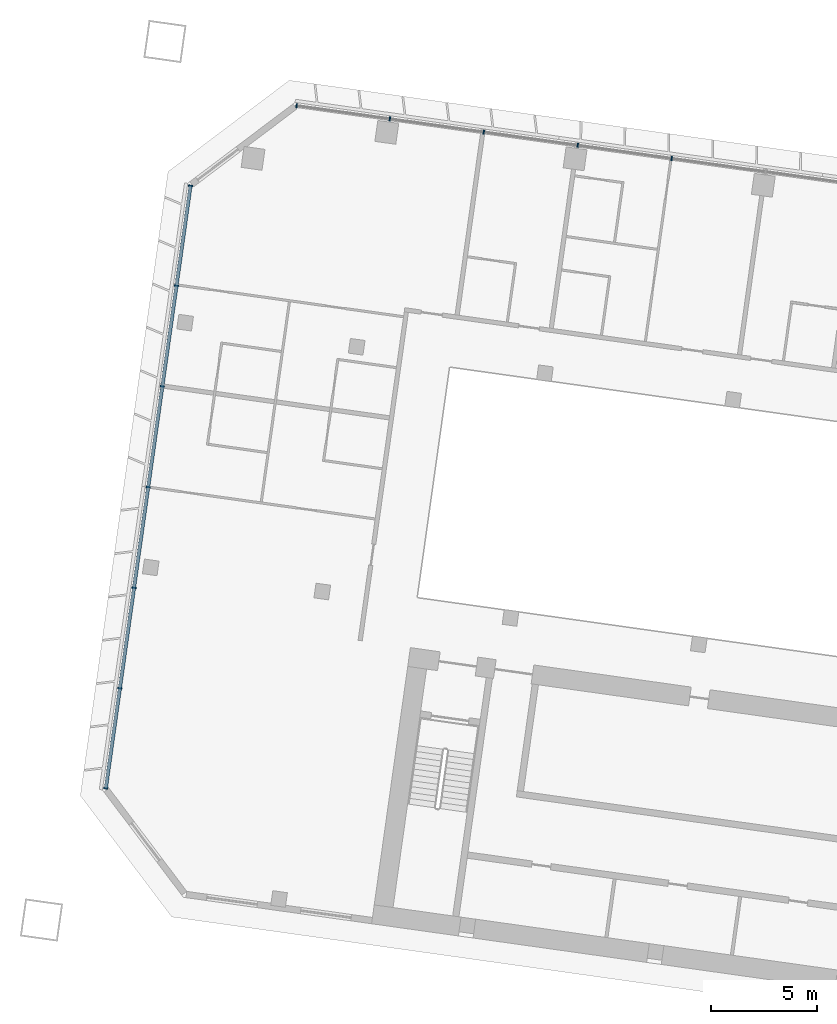
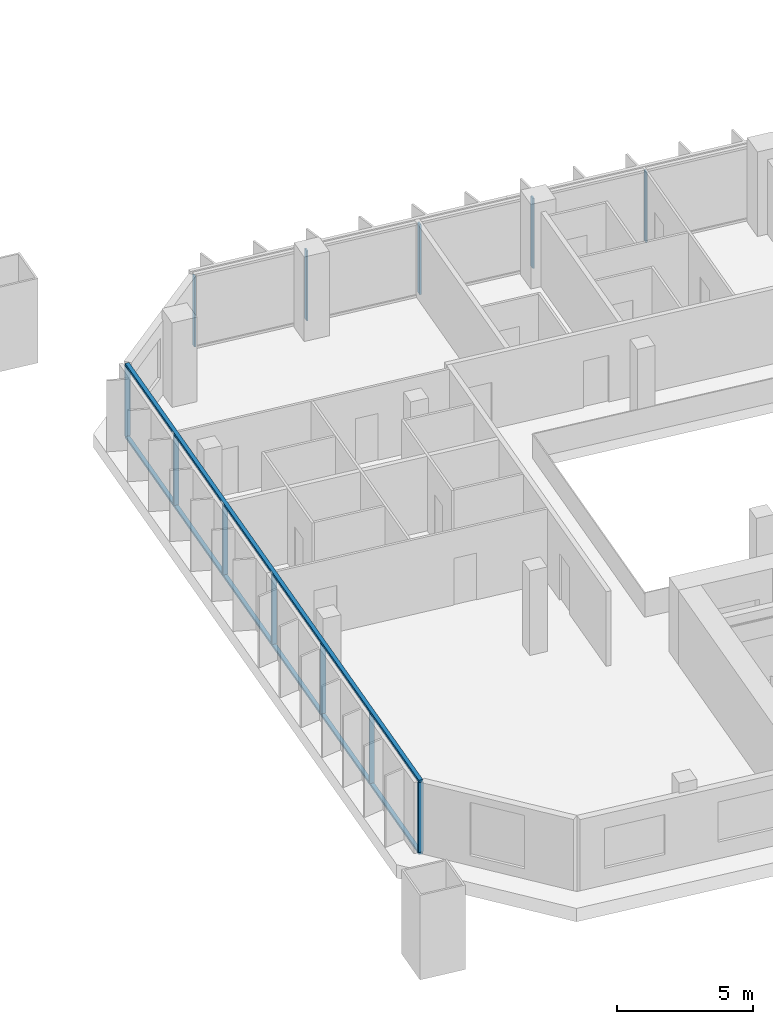
# One storey, part 2 of 25: 14 members, 2 elements without a shape of their own.
"""IFC4 building model written with IfcOpenShell, lengths in metres."""

from ifc_helpers import new_model, si_unit, direction, frame, origin, origin_2d, place, context, subcontext, project, spatial, rectangle, extrude, material, material_profile, profile_set, type_object, element, aggregate, save


model = new_model("IFC4")

# Units and contexts
model_context = context("Model", 3, precision=1e-05, world=origin(), true_north=direction((0.0, 1.0)))
body_context = subcontext(model_context, "Body", "Model", "MODEL_VIEW")
ifc_project = project(units=[si_unit("LENGTHUNIT", "METRE"), si_unit("AREAUNIT", "SQUARE_METRE"), si_unit("VOLUMEUNIT", "CUBIC_METRE"), si_unit("PLANEANGLEUNIT", "RADIAN"), si_unit("MASSUNIT", "GRAM", prefix="KILO")], contexts=[model_context])

# Site, building, storey
site_placement = place(None, origin())
site = spatial("IfcSite", under=ifc_project, at=site_placement, CompositionType="ELEMENT")
building_placement = place(site_placement, origin())
building = spatial("IfcBuilding", under=site, at=building_placement, Name="Mirante Cascada Hotel Towers", CompositionType="ELEMENT")
storey_placement = place(building_placement, frame((0.0, 0.0, 62.3)))
storey = spatial("IfcBuildingStorey", under=building, at=storey_placement, Name="L12", CompositionType="ELEMENT", Elevation=62.3)

# Curtain wall, members
ifc_material_1 = material(Name="Aluminium mullion and transom frame with clear laminated glass", Category="aluminium")
curtain_wall_type_1 = type_object("IfcCurtainWallType", Name="Ribbon curtain wall ECW1", PredefinedType="NOTDEFINED", material=ifc_material_1)
curtain_wall_1_placement = place(storey_placement, origin())
curtain_wall_1 = element("IfcCurtainWall", 1, at=curtain_wall_1_placement, inside=storey, type_object=curtain_wall_type_1, Name="Front ribbon wall T1 L12", PredefinedType="NOTDEFINED")
ifc_material_2 = material(Name="Anodised aluminium extrusion", Category="aluminium")
ifc_material_profile_1 = material_profile(ifc_material_2, rectangle(XDim=0.2, YDim=0.065, at=origin_2d()), Name="ECW1 MULLION 65x200")
ifc_profile_set_1 = profile_set([ifc_material_profile_1], Name="Anodised aluminium extrusion")
member_type_1 = type_object("IfcMemberType", Name="ECW1 mullion 65x200", PredefinedType="MULLION", material=ifc_profile_set_1)
member_1_placement = place(storey_placement, frame((-94.126, 26.0476, 0.1), z_axis=(0.0, 0.0, 1.0), x_axis=(0.1391731, 0.9902681, 0.0)))
member_1 = element("IfcMember", 2, at=member_1_placement, type_object=member_type_1, Name="ECW1 mullion 1", PredefinedType="MULLION", context=body_context, shape_type="SweptSolid", body=[
    extrude(rectangle(XDim=0.2, YDim=0.065, at=origin_2d()), origin(), (0.0, 0.0, 1.0), 3.15),
])
member_2_placement = place(storey_placement, frame((-89.7107, 25.427, 0.1), z_axis=(0.0, 0.0, 1.0), x_axis=(0.1391731, 0.9902681, 0.0)))
member_2 = element("IfcMember", 3, at=member_2_placement, type_object=member_type_1, Name="ECW1 mullion 2", PredefinedType="MULLION", context=body_context, shape_type="SweptSolid", body=[
    extrude(rectangle(XDim=0.2, YDim=0.065, at=origin_2d()), origin(), (0.0, 0.0, 1.0), 3.15),
])
member_3_placement = place(storey_placement, frame((-85.2633, 24.802, 0.1), z_axis=(0.0, 0.0, 1.0), x_axis=(0.1391731, 0.9902681, 0.0)))
member_3 = element("IfcMember", 4, at=member_3_placement, type_object=member_type_1, Name="ECW1 mullion 3", PredefinedType="MULLION", context=body_context, shape_type="SweptSolid", body=[
    extrude(rectangle(XDim=0.2, YDim=0.065, at=origin_2d()), origin(), (0.0, 0.0, 1.0), 3.15),
])
member_4_placement = place(storey_placement, frame((-80.8159, 24.177, 0.1), z_axis=(0.0, 0.0, 1.0), x_axis=(0.1391731, 0.9902681, 0.0)))
member_4 = element("IfcMember", 5, at=member_4_placement, type_object=member_type_1, Name="ECW1 mullion 4", PredefinedType="MULLION", context=body_context, shape_type="SweptSolid", body=[
    extrude(rectangle(XDim=0.2, YDim=0.065, at=origin_2d()), origin(), (0.0, 0.0, 1.0), 3.15),
])
member_5_placement = place(storey_placement, frame((-76.3685, 23.5519, 0.1), z_axis=(0.0, 0.0, 1.0), x_axis=(0.1391731, 0.9902681, 0.0)))
member_5 = element("IfcMember", 6, at=member_5_placement, type_object=member_type_1, Name="ECW1 mullion 5", PredefinedType="MULLION", context=body_context, shape_type="SweptSolid", body=[
    extrude(rectangle(XDim=0.2, YDim=0.065, at=origin_2d()), origin(), (0.0, 0.0, 1.0), 3.15),
])
aggregate(curtain_wall_1, [member_1, member_2, member_3, member_4, member_5])

ifc_material_3 = material(Name="Aluminium mullion and transom frame with clear laminated glass", Category="aluminium")
curtain_wall_type_2 = type_object("IfcCurtainWallType", Name="End ribbon curtain wall ECW2", PredefinedType="NOTDEFINED", material=ifc_material_3)
curtain_wall_2_placement = place(storey_placement, origin())
curtain_wall_2 = element("IfcCurtainWall", 7, at=curtain_wall_2_placement, inside=storey, type_object=curtain_wall_type_2, Name="Outer end wall T1 L12", PredefinedType="NOTDEFINED")
ifc_material_4 = material(Name="Anodised aluminium extrusion", Category="aluminium")
ifc_material_profile_2 = material_profile(ifc_material_4, rectangle(XDim=0.2, YDim=0.065, at=origin_2d()), Name="ECW2 MULLION 65x200")
ifc_profile_set_2 = profile_set([ifc_material_profile_2], Name="Anodised aluminium extrusion")
member_type_2 = type_object("IfcMemberType", Name="ECW2 mullion 65x200", PredefinedType="MULLION", material=ifc_profile_set_2)
member_6_placement = place(storey_placement, frame((-103.1556, -6.2656, 0.1), z_axis=(0.0, 0.0, 1.0), x_axis=(-0.9902681, 0.1391731, 0.0)))
member_6 = element("IfcMember", 8, at=member_6_placement, type_object=member_type_2, Name="ECW2 mullion 1", PredefinedType="MULLION", context=body_context, shape_type="SweptSolid", body=[
    extrude(rectangle(XDim=0.2, YDim=0.065, at=origin_2d()), origin(), (0.0, 0.0, 1.0), 3.15),
])
member_7_placement = place(storey_placement, frame((-102.4903, -1.532, 0.1), z_axis=(0.0, 0.0, 1.0), x_axis=(-0.9902681, 0.1391731, 0.0)))
member_7 = element("IfcMember", 9, at=member_7_placement, type_object=member_type_2, Name="ECW2 mullion 2", PredefinedType="MULLION", context=body_context, shape_type="SweptSolid", body=[
    extrude(rectangle(XDim=0.2, YDim=0.065, at=origin_2d()), origin(), (0.0, 0.0, 1.0), 3.15),
])
member_8_placement = place(storey_placement, frame((-101.8205, 3.2338, 0.1), z_axis=(0.0, 0.0, 1.0), x_axis=(-0.9902681, 0.1391731, 0.0)))
member_8 = element("IfcMember", 10, at=member_8_placement, type_object=member_type_2, Name="ECW2 mullion 3", PredefinedType="MULLION", context=body_context, shape_type="SweptSolid", body=[
    extrude(rectangle(XDim=0.2, YDim=0.065, at=origin_2d()), origin(), (0.0, 0.0, 1.0), 3.15),
])
member_9_placement = place(storey_placement, frame((-101.1508, 7.9996, 0.1), z_axis=(0.0, 0.0, 1.0), x_axis=(-0.9902681, 0.1391731, 0.0)))
member_9 = element("IfcMember", 11, at=member_9_placement, type_object=member_type_2, Name="ECW2 mullion 4", PredefinedType="MULLION", context=body_context, shape_type="SweptSolid", body=[
    extrude(rectangle(XDim=0.2, YDim=0.065, at=origin_2d()), origin(), (0.0, 0.0, 1.0), 3.15),
])
member_10_placement = place(storey_placement, frame((-100.481, 12.7654, 0.1), z_axis=(0.0, 0.0, 1.0), x_axis=(-0.9902681, 0.1391731, 0.0)))
member_10 = element("IfcMember", 12, at=member_10_placement, type_object=member_type_2, Name="ECW2 mullion 5", PredefinedType="MULLION", context=body_context, shape_type="SweptSolid", body=[
    extrude(rectangle(XDim=0.2, YDim=0.065, at=origin_2d()), origin(), (0.0, 0.0, 1.0), 3.15),
])
member_11_placement = place(storey_placement, frame((-99.8112, 17.5312, 0.1), z_axis=(0.0, 0.0, 1.0), x_axis=(-0.9902681, 0.1391731, 0.0)))
member_11 = element("IfcMember", 13, at=member_11_placement, type_object=member_type_2, Name="ECW2 mullion 6", PredefinedType="MULLION", context=body_context, shape_type="SweptSolid", body=[
    extrude(rectangle(XDim=0.2, YDim=0.065, at=origin_2d()), origin(), (0.0, 0.0, 1.0), 3.15),
])
member_12_placement = place(storey_placement, frame((-99.1459, 22.2648, 0.1), z_axis=(0.0, 0.0, 1.0), x_axis=(-0.9902681, 0.1391731, 0.0)))
member_12 = element("IfcMember", 14, at=member_12_placement, type_object=member_type_2, Name="ECW2 mullion 7", PredefinedType="MULLION", context=body_context, shape_type="SweptSolid", body=[
    extrude(rectangle(XDim=0.2, YDim=0.065, at=origin_2d()), origin(), (0.0, 0.0, 1.0), 3.15),
])
ifc_material_5 = material(Name="Anodised aluminium extrusion", Category="aluminium")
ifc_material_profile_3 = material_profile(ifc_material_5, rectangle(XDim=0.16, YDim=0.1, at=origin_2d()), Name="ECW2 TRANSOM 100x160")
ifc_profile_set_3 = profile_set([ifc_material_profile_3], Name="Anodised aluminium extrusion")
member_type_3 = type_object("IfcMemberType", Name="ECW2 transom 100x160", PredefinedType="USERDEFINED", material=ifc_profile_set_3)
member_13_placement = place(storey_placement, frame((-103.1601, -6.2978, 0.05), z_axis=(0.1391723, 0.9902682, 0.0), x_axis=(-0.9902682, 0.1391723, 0.0)))
member_13 = element("IfcMember", 15, at=member_13_placement, type_object=member_type_3, Name="ECW2 sill transom", ObjectType="TRANSOM", PredefinedType="USERDEFINED", context=body_context, shape_type="SweptSolid", body=[
    extrude(rectangle(XDim=0.16, YDim=0.1, at=origin_2d()), origin(), (0.0, 0.0, 1.0), 28.8757),
])
member_14_placement = place(storey_placement, frame((-103.1601, -6.2978, 3.3), z_axis=(0.1391723, 0.9902682, 0.0), x_axis=(-0.9902682, 0.1391723, 0.0)))
member_14 = element("IfcMember", 16, at=member_14_placement, type_object=member_type_3, Name="ECW2 head transom", ObjectType="TRANSOM", PredefinedType="USERDEFINED", context=body_context, shape_type="SweptSolid", body=[
    extrude(rectangle(XDim=0.16, YDim=0.1, at=origin_2d()), origin(), (0.0, 0.0, 1.0), 28.8757),
])
aggregate(curtain_wall_2, [member_13, member_14, member_6, member_7, member_8, member_9, member_10, member_11, member_12])

save(model, "model.ifc")
